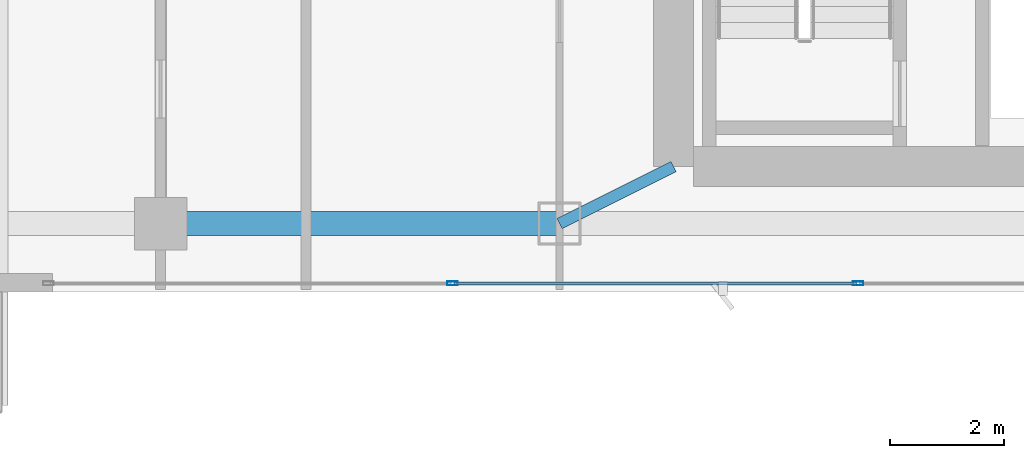
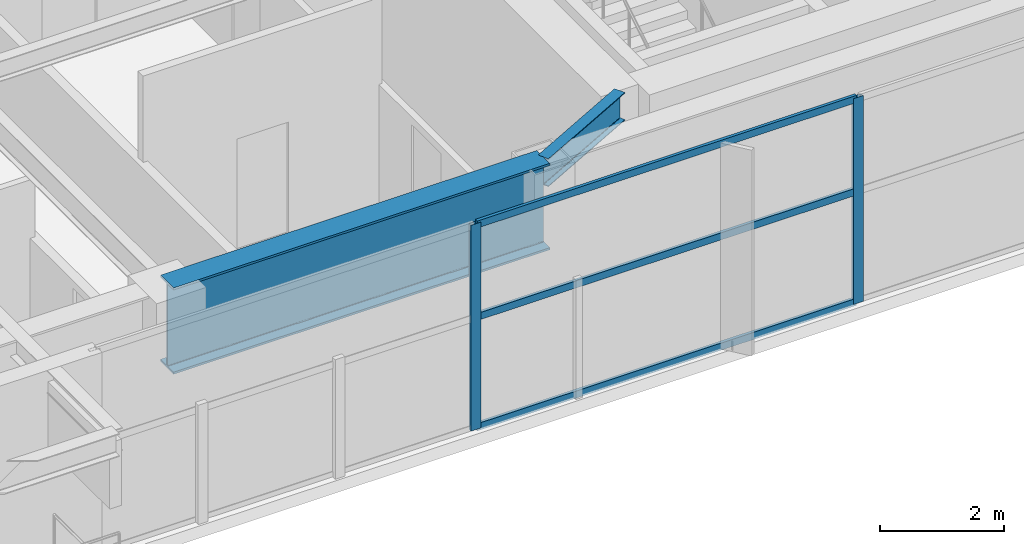
# One storey, part 6 of 27: 5 members, 2 beams, 1 element without a shape of its own.
"""IFC4 building model written with IfcOpenShell, lengths in metres."""

from ifc_helpers import new_model, si_unit, direction, frame, origin, origin_2d, place, context, subcontext, project, spatial, hollow_rectangle, i_section, extrude, material, layer, layer_set, material_profile, profile_set, type_object, element, aggregate, save


model = new_model("IFC4")

# Units and contexts
model_context = context("Model", 3, precision=1e-05, world=origin(), true_north=direction((0.0, 1.0)))
body_context = subcontext(model_context, "Body", "Model", "MODEL_VIEW")
ifc_project = project(units=[si_unit("LENGTHUNIT", "METRE"), si_unit("AREAUNIT", "SQUARE_METRE"), si_unit("VOLUMEUNIT", "CUBIC_METRE"), si_unit("PLANEANGLEUNIT", "RADIAN"), si_unit("MASSUNIT", "GRAM", prefix="KILO")], contexts=[model_context])

# Site, building, storey
site_placement = place(None, origin())
site = spatial("IfcSite", under=ifc_project, at=site_placement, CompositionType="ELEMENT")
building_placement = place(site_placement, origin())
building = spatial("IfcBuilding", under=site, at=building_placement, Name="Calvorn Quay Hotel", CompositionType="ELEMENT")
storey_placement = place(building_placement, frame((0.0, 0.0, 239.300048828125)))
storey = spatial("IfcBuildingStorey", under=building, at=storey_placement, Name="L59", CompositionType="ELEMENT", Elevation=239.300048828125)

# Beams
ifc_material_1 = material(Name="Steel Q355B", Category="steel")
ifc_material_profile_1 = material_profile(ifc_material_1, i_section(OverallWidth=0.199951171875, OverallDepth=0.550048828125, WebThickness=0.010009765625, FlangeThickness=0.01611328125, FilletRadius=0.01806640625, at=origin_2d()), Name="HN550x200x10x16")
ifc_profile_set_1 = profile_set([ifc_material_profile_1], Name="Steel Q355B")
beam_type_1 = type_object("IfcBeamType", Name="BM-GIRD-UPP", PredefinedType="BEAM", material=ifc_profile_set_1)
beam_1_placement = place(storey_placement, frame((19.60009765625, 3.60009765625, 3.77490234375), z_axis=(0.894427191, 0.4472135955, 0.0), x_axis=(-0.4472135955, 0.894427191, 0.0)))
element("IfcBeam", 1, at=beam_1_placement, inside=storey, type_object=beam_type_1, Name="Beam BG-L59-S2", PredefinedType="BEAM", context=body_context, shape_type="SweptSolid", body=[
    extrude(i_section(OverallWidth=0.199951171875, OverallDepth=0.550048828125, WebThickness=0.010009765625, FlangeThickness=0.01611328125, FilletRadius=0.01806640625, at=origin_2d()), origin(), (0.0, 0.0, 1.0), 2.236083984375),
])
ifc_material_2 = material(Name="Steel Q420GJC", Category="steel")
ifc_material_profile_2 = material_profile(ifc_material_2, i_section(OverallWidth=0.419921875, OverallDepth=1.699951171875, WebThickness=0.02392578125, FlangeThickness=0.0419921875, FilletRadius=0.02392578125, at=origin_2d()), Name="HN1700x420x24x42")
ifc_profile_set_2 = profile_set([ifc_material_profile_2], Name="Steel Q420GJC")
beam_type_2 = type_object("IfcBeamType", Name="BM-XFER-SAWTOOTH", PredefinedType="BEAM", material=ifc_profile_set_2)
beam_2_placement = place(storey_placement, frame((12.60009765625, 3.60009765625, 3.199951171875), z_axis=(1.0, 0.0, 0.0), x_axis=(0.0, 1.0, 0.0)))
element("IfcBeam", 2, at=beam_2_placement, inside=storey, type_object=beam_type_2, Name="Beam BSP-L59-S2", PredefinedType="BEAM", context=body_context, shape_type="SweptSolid", body=[
    extrude(i_section(OverallWidth=0.419921875, OverallDepth=1.699951171875, WebThickness=0.02392578125, FlangeThickness=0.0419921875, FilletRadius=0.02392578125, at=origin_2d()), origin(), (0.0, 0.0, 1.0), 7.0),
])

# Curtain wall, members
ifc_material_3 = material(Name="Champagne Bronze Anodised Aluminium and Low-E Glass", Category="aluminium")
ifc_layer = layer(ifc_material_3, 0.219970703125)
ifc_layer_set = layer_set([ifc_layer], Name="CW-SYS-Z3")
curtain_wall_type = type_object("IfcCurtainWallType", Name="CW-SYS-Z3", PredefinedType="NOTDEFINED", material=ifc_layer_set)
curtain_wall_placement = place(storey_placement, origin())
curtain_wall = element("IfcCurtainWall", 3, at=curtain_wall_placement, inside=storey, type_object=curtain_wall_type, Name="Tower South Waterfront Curtain Wall (L59)", PredefinedType="NOTDEFINED")
ifc_material_4 = material(Name="Champagne Bronze Anodised Aluminium 6063-T6", Category="aluminium")
ifc_material_profile_3 = material_profile(ifc_material_4, hollow_rectangle(XDim=0.068115234375, YDim=0.18505859375, WallThickness=0.00390625, at=origin_2d()), Name="ALU-M185x68x4")
ifc_profile_set_3 = profile_set([ifc_material_profile_3], Name="Champagne Bronze Anodised Aluminium 6063-T6")
member_type_1 = type_object("IfcMemberType", Name="CW-SYS-Z3-MUL", PredefinedType="MULLION", material=ifc_profile_set_3)
member_1_placement = place(storey_placement, frame((17.719970703125, 2.550048828125, 0.0), z_axis=(0.0, 0.0, 1.0), x_axis=(0.0, 1.0, 0.0)))
member_1 = element("IfcMember", 4, at=member_1_placement, type_object=member_type_1, Name="CW-L59-S mullion 2", PredefinedType="MULLION", context=body_context, shape_type="SweptSolid", body=[
    extrude(hollow_rectangle(XDim=0.068115234375, YDim=0.18505859375, WallThickness=0.00390625, at=origin_2d()), origin(), (0.0, 0.0, 1.0), 4.050048828125),
])
member_2_placement = place(storey_placement, frame((24.840087890625, 2.550048828125, 0.0), z_axis=(0.0, 0.0, 1.0), x_axis=(0.0, 1.0, 0.0)))
member_2 = element("IfcMember", 5, at=member_2_placement, type_object=member_type_1, Name="CW-L59-S mullion 3", PredefinedType="MULLION", context=body_context, shape_type="SweptSolid", body=[
    extrude(hollow_rectangle(XDim=0.068115234375, YDim=0.18505859375, WallThickness=0.00390625, at=origin_2d()), origin(), (0.0, 0.0, 1.0), 4.050048828125),
])
ifc_material_5 = material(Name="Champagne Bronze Anodised Aluminium 6063-T6", Category="aluminium")
ifc_material_profile_4 = material_profile(ifc_material_5, hollow_rectangle(XDim=0.05810546875, YDim=0.139892578125, WallThickness=0.003173828125, at=origin_2d()), Name="ALU-T140x58x3.2")
ifc_profile_set_4 = profile_set([ifc_material_profile_4], Name="Champagne Bronze Anodised Aluminium 6063-T6")
member_type_2 = type_object("IfcMemberType", Name="CW-SYS-Z3-TRN", PredefinedType="USERDEFINED", material=ifc_profile_set_4)
member_3_placement = place(storey_placement, frame((17.75, 2.550048828125, 0.030029296875), z_axis=(1.0, 0.0, 0.0), x_axis=(0.0, 1.0, 0.0)))
member_3 = element("IfcMember", 6, at=member_3_placement, type_object=member_type_2, Name="CW-L59-S transom 2.1", ObjectType="TRANSOM", PredefinedType="USERDEFINED", context=body_context, shape_type="SweptSolid", body=[
    extrude(hollow_rectangle(XDim=0.05810546875, YDim=0.139892578125, WallThickness=0.003173828125, at=origin_2d()), origin(), (0.0, 0.0, 1.0), 7.06005859375),
])
member_4_placement = place(storey_placement, frame((17.75, 2.550048828125, 2.199951171875), z_axis=(1.0, 0.0, 0.0), x_axis=(0.0, 1.0, 0.0)))
member_4 = element("IfcMember", 7, at=member_4_placement, type_object=member_type_2, Name="CW-L59-S transom 2.2", ObjectType="TRANSOM", PredefinedType="USERDEFINED", context=body_context, shape_type="SweptSolid", body=[
    extrude(hollow_rectangle(XDim=0.05810546875, YDim=0.139892578125, WallThickness=0.003173828125, at=origin_2d()), origin(), (0.0, 0.0, 1.0), 7.06005859375),
])
member_5_placement = place(storey_placement, frame((17.75, 2.550048828125, 4.02001953125), z_axis=(1.0, 0.0, 0.0), x_axis=(0.0, 1.0, 0.0)))
member_5 = element("IfcMember", 8, at=member_5_placement, type_object=member_type_2, Name="CW-L59-S transom 2.3", ObjectType="TRANSOM", PredefinedType="USERDEFINED", context=body_context, shape_type="SweptSolid", body=[
    extrude(hollow_rectangle(XDim=0.05810546875, YDim=0.139892578125, WallThickness=0.003173828125, at=origin_2d()), origin(), (0.0, 0.0, 1.0), 7.06005859375),
])
aggregate(curtain_wall, [member_1, member_2, member_3, member_4, member_5])

save(model, "model.ifc")
